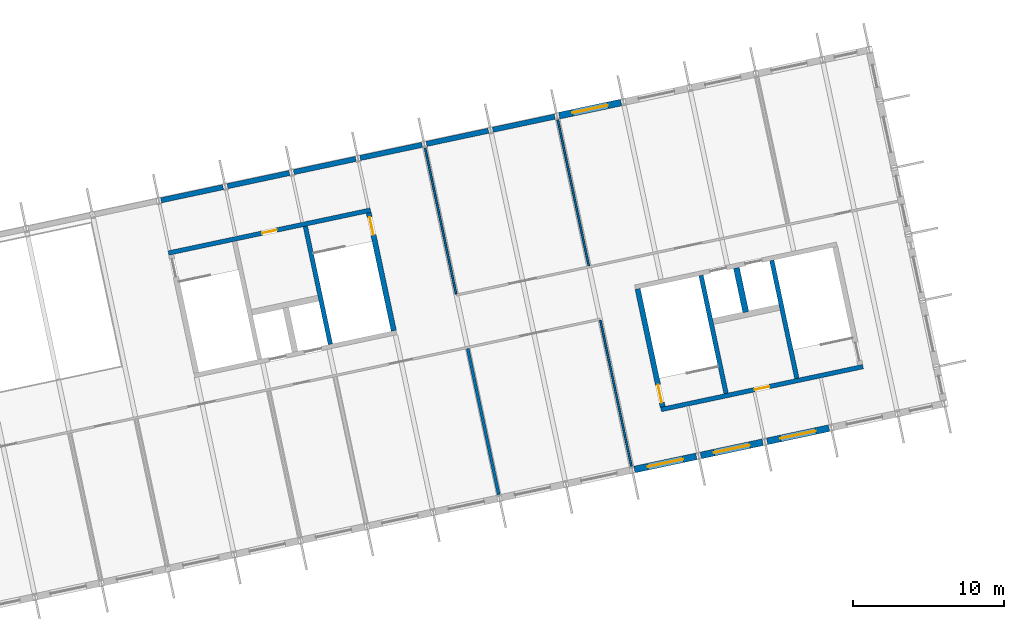
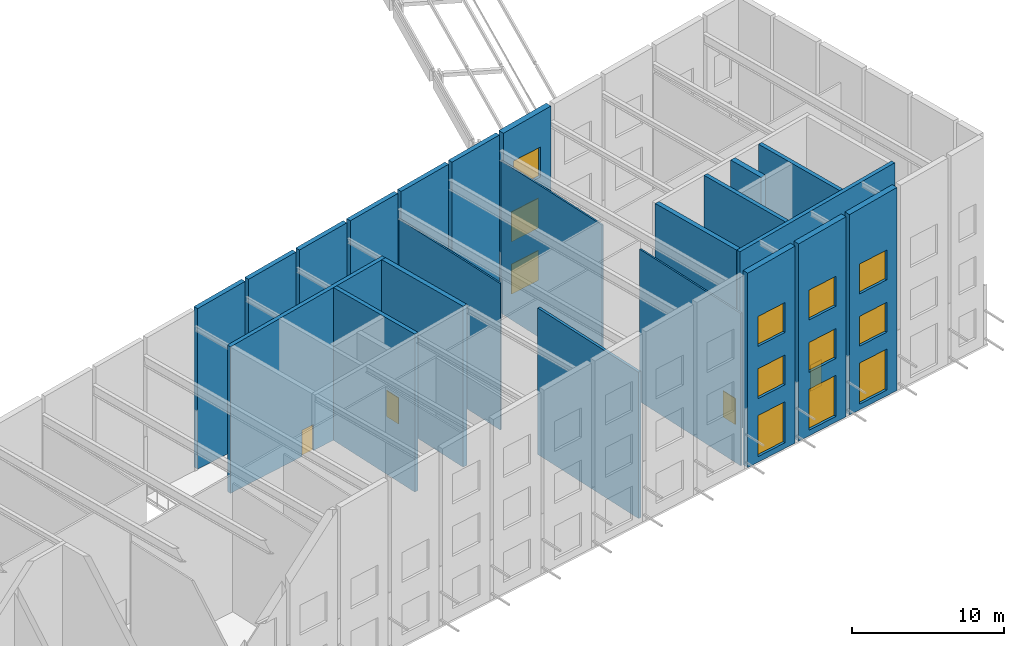
# One storey, part 47 of 69: 22 walls, 12 windows, 4 doors, 16 openings.
"""IFC4 building model written with IfcOpenShell, lengths in metres."""

from ifc_helpers import new_model, si_unit, direction, frame, frame_2d, origin, place, context, subcontext, project, spatial, polyline, rectangle, outline, extrude, material, layer, layer_set, type_object, element, fill, save


model = new_model("IFC4")

# Units and contexts
model_context = context("Model", 3, precision=1e-05, world=origin(), true_north=direction((0.0, 1.0)))
body_context = subcontext(model_context, "Body", "Model", "MODEL_VIEW")
ifc_project = project(units=[si_unit("LENGTHUNIT", "METRE"), si_unit("AREAUNIT", "SQUARE_METRE"), si_unit("VOLUMEUNIT", "CUBIC_METRE"), si_unit("PLANEANGLEUNIT", "RADIAN"), si_unit("MASSUNIT", "GRAM", prefix="KILO")], contexts=[model_context])

# Site, building, storey
site_placement = place(None, origin())
site = spatial("IfcSite", under=ifc_project, at=site_placement, CompositionType="ELEMENT")
building_placement = place(site_placement, origin())
building = spatial("IfcBuilding", under=site, at=building_placement, Name="Okhra Congress Centre", CompositionType="ELEMENT")
storey_placement = place(building_placement, frame((0.0, 0.0, 16.800048828125)))
storey = spatial("IfcBuildingStorey", under=building, at=storey_placement, Name="L03", CompositionType="ELEMENT", Elevation=16.800048828125)

# Wall
ifc_material_1 = material(Name="Double gypsum board on steel studs with mineral wool", Category="steel")
ifc_layer_1 = layer(ifc_material_1, 0.199951171875)
ifc_layer_set_1 = layer_set([ifc_layer_1], Name="Acoustic partition 200")
wall_type_1 = type_object("IfcWallType", Name="Acoustic partition 200", PredefinedType="PARTITIONING", material=ifc_layer_set_1)
wall_1_placement = place(storey_placement, frame((188.612548828125, 54.161865234375, 0.0), z_axis=(0.0, 0.0, 1.0), x_axis=(-0.207932893358, 0.978143093754, 0.0)))
element("IfcWall", 1, at=wall_1_placement, inside=storey, type_object=wall_type_1, Name="Partition S L03", PredefinedType="PARTITIONING", context=body_context, shape_type="SweptSolid", body=[
    extrude(outline(polyline([(0.0, 0.0), (9.925048828125, 0.0), (9.925048828125, 11.75146484375), (0.0, 11.75146484375), (0.0, 0.0)])), frame((0.0, 0.10009765625, 0.0), z_axis=(0.0, -1.0, 0.0), x_axis=(1.0, 0.0, 0.0)), (0.0, 0.0, 1.0), 0.199951171875),
])

# Wall, openings, windows
ifc_material_2 = material(Name="Insulated metal panel on steel stud (mineral wool, vapour barrier)", Category="steel")
ifc_layer_2 = layer(ifc_material_2, 0.449951171875)
ifc_layer_set_2 = layer_set([ifc_layer_2], Name="Insulated wall 450")
wall_type_2 = type_object("IfcWallType", Name="Insulated wall 450", PredefinedType="SOLIDWALL", material=ifc_layer_set_2)
wall_2_placement = place(storey_placement, frame((197.609375, 55.843994140625, 0.0), z_axis=(0.0, 0.0, 1.0), x_axis=(0.978143927149, 0.207928972925, 0.0)))
wall_2 = element("IfcWall", 2, at=wall_2_placement, inside=storey, type_object=wall_type_2, Name="External wall S32 L03", PredefinedType="SOLIDWALL", context=body_context, shape_type="SweptSolid", body=[
    extrude(outline(polyline([(0.0, 0.0), (4.199951171875, 0.0), (4.199951171875, 15.816650390625), (0.0, 15.591796875), (0.0, 0.0)])), frame((0.0, 0.22509765625, 0.0), z_axis=(0.0, -1.0, 0.0), x_axis=(1.0, 0.0, 0.0)), (0.0, 0.0, 1.0), 0.449951171875),
])
opening_1_placement = place(wall_2_placement, frame((0.89990234375, 0.0, 0.449951171875)))
opening_1 = element("IfcOpeningElement", 3, at=opening_1_placement, cuts=wall_2, Name="Opening WN21", PredefinedType="OPENING", context=body_context, shape_type="SweptSolid", body=[
    extrude(rectangle(XDim=2.39990234375, YDim=3.300048828125, at=frame_2d((1.199951171875, 1.64990234375))), frame((0.0, 0.23486328125, 0.0), z_axis=(0.0, -1.0, 0.0), x_axis=(1.0, 0.0, 0.0)), (0.0, 0.0, 1.0), 0.469970703125),
])
opening_2_placement = place(wall_2_placement, frame((0.89990234375, 0.0, 5.10009765625)))
opening_2 = element("IfcOpeningElement", 4, at=opening_2_placement, cuts=wall_2, Name="Opening WN22", PredefinedType="OPENING", context=body_context, shape_type="SweptSolid", body=[
    extrude(rectangle(XDim=2.39990234375, YDim=2.39990234375, at=frame_2d((1.199951171875, 1.199951171875))), frame((0.0, 0.23486328125, 0.0), z_axis=(0.0, -1.0, 0.0), x_axis=(1.0, 0.0, 0.0)), (0.0, 0.0, 1.0), 0.469970703125),
])
opening_3_placement = place(wall_2_placement, frame((0.89990234375, 0.0, 9.300048828125)))
opening_3 = element("IfcOpeningElement", 5, at=opening_3_placement, cuts=wall_2, Name="Opening WN22", PredefinedType="OPENING", context=body_context, shape_type="SweptSolid", body=[
    extrude(rectangle(XDim=2.39990234375, YDim=2.39990234375, at=frame_2d((1.199951171875, 1.199951171875))), frame((0.0, 0.23486328125, 0.0), z_axis=(0.0, -1.0, 0.0), x_axis=(1.0, 0.0, 0.0)), (0.0, 0.0, 1.0), 0.469970703125),
])
ifc_material_3 = material(Name="Thermally broken aluminium frame, triple glazing", Category="aluminium")
window_type_1 = type_object("IfcWindowType", Name="Fixed window 2400x2400", PartitioningType="SINGLE_PANEL", PredefinedType="WINDOW", material=ifc_material_3)
window_1_placement = place(opening_2_placement, origin())
window_1 = element("IfcWindow", 6, at=window_1_placement, inside=storey, type_object=window_type_1, Name="BX.WIN.L03.62", OverallHeight=2.39990234375, OverallWidth=2.39990234375, PartitioningType="SINGLE_PANEL", PredefinedType="WINDOW", context=body_context, shape_type="SweptSolid", body=[
    extrude(rectangle(XDim=2.39990234375, YDim=2.39990234375, at=frame_2d((1.199951171875, 1.199951171875))), frame((0.0, 0.030029296875, 0.0), z_axis=(0.0, -1.0, 0.0), x_axis=(1.0, 0.0, 0.0)), (0.0, 0.0, 1.0), 0.06005859375),
])
fill(opening_2, window_1)
window_2_placement = place(opening_3_placement, origin())
window_2 = element("IfcWindow", 7, at=window_2_placement, inside=storey, type_object=window_type_1, Name="BX.WIN.L03.63", OverallHeight=2.39990234375, OverallWidth=2.39990234375, PartitioningType="SINGLE_PANEL", PredefinedType="WINDOW", context=body_context, shape_type="SweptSolid", body=[
    extrude(rectangle(XDim=2.39990234375, YDim=2.39990234375, at=frame_2d((1.199951171875, 1.199951171875))), frame((0.0, 0.030029296875, 0.0), z_axis=(0.0, -1.0, 0.0), x_axis=(1.0, 0.0, 0.0)), (0.0, 0.0, 1.0), 0.06005859375),
])
fill(opening_3, window_2)
window_type_2 = type_object("IfcWindowType", Name="Two-light window 2400x3300", PartitioningType="DOUBLE_PANEL_VERTICAL", PredefinedType="WINDOW", material=ifc_material_3)
window_3_placement = place(opening_1_placement, origin())
window_3 = element("IfcWindow", 8, at=window_3_placement, inside=storey, type_object=window_type_2, Name="BX.WIN.L03.61", OverallHeight=3.300048828125, OverallWidth=2.39990234375, PartitioningType="DOUBLE_PANEL_VERTICAL", PredefinedType="WINDOW", context=body_context, shape_type="SweptSolid", body=[
    extrude(rectangle(XDim=2.39990234375, YDim=3.300048828125, at=frame_2d((1.199951171875, 1.64990234375))), frame((0.0, 0.030029296875, 0.0), z_axis=(0.0, -1.0, 0.0), x_axis=(1.0, 0.0, 0.0)), (0.0, 0.0, 1.0), 0.06005859375),
])
fill(opening_1, window_3)

wall_3_placement = place(storey_placement, frame((202.010986328125, 56.77978515625, 0.0), z_axis=(0.0, 0.0, 1.0), x_axis=(0.978155748334, 0.207873355681, 0.0)))
wall_3 = element("IfcWall", 9, at=wall_3_placement, inside=storey, type_object=wall_type_2, Name="External wall S33 L03", PredefinedType="SOLIDWALL", context=body_context, shape_type="SweptSolid", body=[
    extrude(outline(polyline([(0.0, 0.0), (4.199951171875, 0.0), (4.199951171875, 16.057373046875), (0.0, 15.832763671875), (0.0, 0.0)])), frame((0.0, 0.22509765625, 0.0), z_axis=(0.0, -1.0, 0.0), x_axis=(1.0, 0.0, 0.0)), (0.0, 0.0, 1.0), 0.449951171875),
])
opening_4_placement = place(wall_3_placement, frame((0.89990234375, 0.0, 0.449951171875)))
opening_4 = element("IfcOpeningElement", 10, at=opening_4_placement, cuts=wall_3, Name="Opening WN21", PredefinedType="OPENING", context=body_context, shape_type="SweptSolid", body=[
    extrude(rectangle(XDim=2.39990234375, YDim=3.300048828125, at=frame_2d((1.199951171875, 1.64990234375))), frame((0.0, 0.23486328125, 0.0), z_axis=(0.0, -1.0, 0.0), x_axis=(1.0, 0.0, 0.0)), (0.0, 0.0, 1.0), 0.469970703125),
])
opening_5_placement = place(wall_3_placement, frame((0.89990234375, 0.0, 5.10009765625)))
opening_5 = element("IfcOpeningElement", 11, at=opening_5_placement, cuts=wall_3, Name="Opening WN22", PredefinedType="OPENING", context=body_context, shape_type="SweptSolid", body=[
    extrude(rectangle(XDim=2.39990234375, YDim=2.39990234375, at=frame_2d((1.199951171875, 1.199951171875))), frame((0.0, 0.23486328125, 0.0), z_axis=(0.0, -1.0, 0.0), x_axis=(1.0, 0.0, 0.0)), (0.0, 0.0, 1.0), 0.469970703125),
])
opening_6_placement = place(wall_3_placement, frame((0.89990234375, 0.0, 9.300048828125)))
opening_6 = element("IfcOpeningElement", 12, at=opening_6_placement, cuts=wall_3, Name="Opening WN22", PredefinedType="OPENING", context=body_context, shape_type="SweptSolid", body=[
    extrude(rectangle(XDim=2.39990234375, YDim=2.39990234375, at=frame_2d((1.199951171875, 1.199951171875))), frame((0.0, 0.23486328125, 0.0), z_axis=(0.0, -1.0, 0.0), x_axis=(1.0, 0.0, 0.0)), (0.0, 0.0, 1.0), 0.469970703125),
])
window_4_placement = place(opening_5_placement, origin())
window_4 = element("IfcWindow", 13, at=window_4_placement, inside=storey, type_object=window_type_1, Name="BX.WIN.L03.65", OverallHeight=2.39990234375, OverallWidth=2.39990234375, PartitioningType="SINGLE_PANEL", PredefinedType="WINDOW", context=body_context, shape_type="SweptSolid", body=[
    extrude(rectangle(XDim=2.39990234375, YDim=2.39990234375, at=frame_2d((1.199951171875, 1.199951171875))), frame((0.0, 0.030029296875, 0.0), z_axis=(0.0, -1.0, 0.0), x_axis=(1.0, 0.0, 0.0)), (0.0, 0.0, 1.0), 0.06005859375),
])
fill(opening_5, window_4)
window_5_placement = place(opening_6_placement, origin())
window_5 = element("IfcWindow", 14, at=window_5_placement, inside=storey, type_object=window_type_1, Name="BX.WIN.L03.66", OverallHeight=2.39990234375, OverallWidth=2.39990234375, PartitioningType="SINGLE_PANEL", PredefinedType="WINDOW", context=body_context, shape_type="SweptSolid", body=[
    extrude(rectangle(XDim=2.39990234375, YDim=2.39990234375, at=frame_2d((1.199951171875, 1.199951171875))), frame((0.0, 0.030029296875, 0.0), z_axis=(0.0, -1.0, 0.0), x_axis=(1.0, 0.0, 0.0)), (0.0, 0.0, 1.0), 0.06005859375),
])
fill(opening_6, window_5)
window_6_placement = place(opening_4_placement, origin())
window_6 = element("IfcWindow", 15, at=window_6_placement, inside=storey, type_object=window_type_2, Name="BX.WIN.L03.64", OverallHeight=3.300048828125, OverallWidth=2.39990234375, PartitioningType="DOUBLE_PANEL_VERTICAL", PredefinedType="WINDOW", context=body_context, shape_type="SweptSolid", body=[
    extrude(rectangle(XDim=2.39990234375, YDim=3.300048828125, at=frame_2d((1.199951171875, 1.64990234375))), frame((0.0, 0.030029296875, 0.0), z_axis=(0.0, -1.0, 0.0), x_axis=(1.0, 0.0, 0.0)), (0.0, 0.0, 1.0), 0.06005859375),
])
fill(opening_4, window_6)

wall_4_placement = place(storey_placement, frame((206.41259765625, 57.71533203125, 0.0), z_axis=(0.0, 0.0, 1.0), x_axis=(0.978143927149, 0.207928972925, 0.0)))
wall_4 = element("IfcWall", 16, at=wall_4_placement, inside=storey, type_object=wall_type_2, Name="External wall S34 L03", PredefinedType="SOLIDWALL", context=body_context, shape_type="SweptSolid", body=[
    extrude(outline(polyline([(0.0, 0.0), (4.199951171875, 0.0), (4.199951171875, 16.298095703125), (0.0, 16.073486328125), (0.0, 0.0)])), frame((0.0, 0.22509765625, 0.0), z_axis=(0.0, -1.0, 0.0), x_axis=(1.0, 0.0, 0.0)), (0.0, 0.0, 1.0), 0.449951171875),
])
opening_7_placement = place(wall_4_placement, frame((0.89990234375, 0.0, 0.449951171875)))
opening_7 = element("IfcOpeningElement", 17, at=opening_7_placement, cuts=wall_4, Name="Opening WN21", PredefinedType="OPENING", context=body_context, shape_type="SweptSolid", body=[
    extrude(rectangle(XDim=2.39990234375, YDim=3.300048828125, at=frame_2d((1.199951171875, 1.64990234375))), frame((0.0, 0.23486328125, 0.0), z_axis=(0.0, -1.0, 0.0), x_axis=(1.0, 0.0, 0.0)), (0.0, 0.0, 1.0), 0.469970703125),
])
opening_8_placement = place(wall_4_placement, frame((0.89990234375, 0.0, 5.10009765625)))
opening_8 = element("IfcOpeningElement", 18, at=opening_8_placement, cuts=wall_4, Name="Opening WN22", PredefinedType="OPENING", context=body_context, shape_type="SweptSolid", body=[
    extrude(rectangle(XDim=2.39990234375, YDim=2.39990234375, at=frame_2d((1.199951171875, 1.199951171875))), frame((0.0, 0.23486328125, 0.0), z_axis=(0.0, -1.0, 0.0), x_axis=(1.0, 0.0, 0.0)), (0.0, 0.0, 1.0), 0.469970703125),
])
opening_9_placement = place(wall_4_placement, frame((0.89990234375, 0.0, 9.300048828125)))
opening_9 = element("IfcOpeningElement", 19, at=opening_9_placement, cuts=wall_4, Name="Opening WN22", PredefinedType="OPENING", context=body_context, shape_type="SweptSolid", body=[
    extrude(rectangle(XDim=2.39990234375, YDim=2.39990234375, at=frame_2d((1.199951171875, 1.199951171875))), frame((0.0, 0.23486328125, 0.0), z_axis=(0.0, -1.0, 0.0), x_axis=(1.0, 0.0, 0.0)), (0.0, 0.0, 1.0), 0.469970703125),
])
window_7_placement = place(opening_8_placement, origin())
window_7 = element("IfcWindow", 20, at=window_7_placement, inside=storey, type_object=window_type_1, Name="BX.WIN.L03.68", OverallHeight=2.39990234375, OverallWidth=2.39990234375, PartitioningType="SINGLE_PANEL", PredefinedType="WINDOW", context=body_context, shape_type="SweptSolid", body=[
    extrude(rectangle(XDim=2.39990234375, YDim=2.39990234375, at=frame_2d((1.199951171875, 1.199951171875))), frame((0.0, 0.030029296875, 0.0), z_axis=(0.0, -1.0, 0.0), x_axis=(1.0, 0.0, 0.0)), (0.0, 0.0, 1.0), 0.06005859375),
])
fill(opening_8, window_7)
window_8_placement = place(opening_9_placement, origin())
window_8 = element("IfcWindow", 21, at=window_8_placement, inside=storey, type_object=window_type_1, Name="BX.WIN.L03.69", OverallHeight=2.39990234375, OverallWidth=2.39990234375, PartitioningType="SINGLE_PANEL", PredefinedType="WINDOW", context=body_context, shape_type="SweptSolid", body=[
    extrude(rectangle(XDim=2.39990234375, YDim=2.39990234375, at=frame_2d((1.199951171875, 1.199951171875))), frame((0.0, 0.030029296875, 0.0), z_axis=(0.0, -1.0, 0.0), x_axis=(1.0, 0.0, 0.0)), (0.0, 0.0, 1.0), 0.06005859375),
])
fill(opening_9, window_8)
window_9_placement = place(opening_7_placement, origin())
window_9 = element("IfcWindow", 22, at=window_9_placement, inside=storey, type_object=window_type_2, Name="BX.WIN.L03.67", OverallHeight=3.300048828125, OverallWidth=2.39990234375, PartitioningType="DOUBLE_PANEL_VERTICAL", PredefinedType="WINDOW", context=body_context, shape_type="SweptSolid", body=[
    extrude(rectangle(XDim=2.39990234375, YDim=3.300048828125, at=frame_2d((1.199951171875, 1.64990234375))), frame((0.0, 0.030029296875, 0.0), z_axis=(0.0, -1.0, 0.0), x_axis=(1.0, 0.0, 0.0)), (0.0, 0.0, 1.0), 0.06005859375),
])
fill(opening_7, window_9)

wall_5_placement = place(storey_placement, frame((192.619384765625, 79.319580078125, 0.0), z_axis=(0.0, 0.0, 1.0), x_axis=(0.978143927149, 0.207928972925, 0.0)))
wall_5 = element("IfcWall", 23, at=wall_5_placement, inside=storey, type_object=wall_type_2, Name="External wall N32 L03", PredefinedType="SOLIDWALL", context=body_context, shape_type="SweptSolid", body=[
    extrude(outline(polyline([(0.0, 0.0), (4.199951171875, 0.0), (4.199951171875, 14.558837890625), (0.0, 14.333984375), (0.0, 0.0)])), frame((0.0, 0.22509765625, 0.0), z_axis=(0.0, -1.0, 0.0), x_axis=(1.0, 0.0, 0.0)), (0.0, 0.0, 1.0), 0.449951171875),
])
opening_10_placement = place(wall_5_placement, frame((0.89990234375, 0.0, 0.89990234375)))
opening_10 = element("IfcOpeningElement", 24, at=opening_10_placement, cuts=wall_5, Name="Opening WN22", PredefinedType="OPENING", context=body_context, shape_type="SweptSolid", body=[
    extrude(rectangle(XDim=2.39990234375, YDim=2.39990234375, at=frame_2d((1.199951171875, 1.199951171875))), frame((0.0, 0.23486328125, 0.0), z_axis=(0.0, -1.0, 0.0), x_axis=(1.0, 0.0, 0.0)), (0.0, 0.0, 1.0), 0.469970703125),
])
opening_11_placement = place(wall_5_placement, frame((0.89990234375, 0.0, 5.10009765625)))
opening_11 = element("IfcOpeningElement", 25, at=opening_11_placement, cuts=wall_5, Name="Opening WN22", PredefinedType="OPENING", context=body_context, shape_type="SweptSolid", body=[
    extrude(rectangle(XDim=2.39990234375, YDim=2.39990234375, at=frame_2d((1.199951171875, 1.199951171875))), frame((0.0, 0.23486328125, 0.0), z_axis=(0.0, -1.0, 0.0), x_axis=(1.0, 0.0, 0.0)), (0.0, 0.0, 1.0), 0.469970703125),
])
opening_12_placement = place(wall_5_placement, frame((0.89990234375, 0.0, 9.300048828125)))
opening_12 = element("IfcOpeningElement", 26, at=opening_12_placement, cuts=wall_5, Name="Opening WN22", PredefinedType="OPENING", context=body_context, shape_type="SweptSolid", body=[
    extrude(rectangle(XDim=2.39990234375, YDim=2.39990234375, at=frame_2d((1.199951171875, 1.199951171875))), frame((0.0, 0.23486328125, 0.0), z_axis=(0.0, -1.0, 0.0), x_axis=(1.0, 0.0, 0.0)), (0.0, 0.0, 1.0), 0.469970703125),
])
window_10_placement = place(opening_10_placement, origin())
window_10 = element("IfcWindow", 27, at=window_10_placement, inside=storey, type_object=window_type_1, Name="BX.WIN.L03.107", OverallHeight=2.39990234375, OverallWidth=2.39990234375, PartitioningType="SINGLE_PANEL", PredefinedType="WINDOW", context=body_context, shape_type="SweptSolid", body=[
    extrude(rectangle(XDim=2.39990234375, YDim=2.39990234375, at=frame_2d((1.199951171875, 1.199951171875))), frame((0.0, 0.030029296875, 0.0), z_axis=(0.0, -1.0, 0.0), x_axis=(1.0, 0.0, 0.0)), (0.0, 0.0, 1.0), 0.06005859375),
])
fill(opening_10, window_10)
window_11_placement = place(opening_11_placement, origin())
window_11 = element("IfcWindow", 28, at=window_11_placement, inside=storey, type_object=window_type_1, Name="BX.WIN.L03.108", OverallHeight=2.39990234375, OverallWidth=2.39990234375, PartitioningType="SINGLE_PANEL", PredefinedType="WINDOW", context=body_context, shape_type="SweptSolid", body=[
    extrude(rectangle(XDim=2.39990234375, YDim=2.39990234375, at=frame_2d((1.199951171875, 1.199951171875))), frame((0.0, 0.030029296875, 0.0), z_axis=(0.0, -1.0, 0.0), x_axis=(1.0, 0.0, 0.0)), (0.0, 0.0, 1.0), 0.06005859375),
])
fill(opening_11, window_11)
window_12_placement = place(opening_12_placement, origin())
window_12 = element("IfcWindow", 29, at=window_12_placement, inside=storey, type_object=window_type_1, Name="BX.WIN.L03.109", OverallHeight=2.39990234375, OverallWidth=2.39990234375, PartitioningType="SINGLE_PANEL", PredefinedType="WINDOW", context=body_context, shape_type="SweptSolid", body=[
    extrude(rectangle(XDim=2.39990234375, YDim=2.39990234375, at=frame_2d((1.199951171875, 1.199951171875))), frame((0.0, 0.030029296875, 0.0), z_axis=(0.0, -1.0, 0.0), x_axis=(1.0, 0.0, 0.0)), (0.0, 0.0, 1.0), 0.06005859375),
])
fill(opening_12, window_12)

# Walls
ifc_material_4 = material(Name="Gypsum board on steel studs", Category="steel")
ifc_layer_3 = layer(ifc_material_4, 0.125)
ifc_layer_set_3 = layer_set([ifc_layer_3], Name="Partition 125")
wall_type_3 = type_object("IfcWallType", Name="Partition 125", PredefinedType="PARTITIONING", material=ifc_layer_set_3)
wall_6_placement = place(storey_placement, frame((197.415771484375, 56.032958984375, 0.0), z_axis=(0.0, 0.0, 1.0), x_axis=(-0.207904355568, 0.978149159861, 0.0)))
element("IfcWall", 30, at=wall_6_placement, inside=storey, type_object=wall_type_3, Name="Partition S L03", PredefinedType="PARTITIONING", context=body_context, shape_type="SweptSolid", body=[
    extrude(outline(polyline([(0.0, 0.0), (9.925048828125, 0.0), (9.925048828125, 12.233154296875), (0.0, 12.233154296875), (0.0, 0.0)])), frame((0.0, 0.0625, 0.0), z_axis=(0.0, -1.0, 0.0), x_axis=(1.0, 0.0, 0.0)), (0.0, 0.0, 1.0), 0.125),
])
wall_7_placement = place(storey_placement, frame((183.716064453125, 77.197265625, 0.0), z_axis=(0.0, 0.0, 1.0), x_axis=(0.207927890391, -0.978144157268, 0.0)))
element("IfcWall", 31, at=wall_7_placement, inside=storey, type_object=wall_type_3, Name="Partition N L03", PredefinedType="PARTITIONING", context=body_context, shape_type="SweptSolid", body=[
    extrude(outline(polyline([(0.0, 0.0), (9.92529296875, 0.0), (9.925048828125, 11.75146484375), (0.0, 11.75146484375), (0.0, 0.0)])), frame((0.0, 0.0625, 0.0), z_axis=(0.0, -1.0, 0.0), x_axis=(1.0, 0.0, 0.0)), (0.0, 0.0, 1.0), 0.125),
])
wall_8_placement = place(storey_placement, frame((192.51953125, 79.068359375, 0.0), z_axis=(0.0, 0.0, 1.0), x_axis=(0.20790935802, -0.978148096582, 0.0)))
element("IfcWall", 32, at=wall_8_placement, inside=storey, type_object=wall_type_3, Name="Partition N L03", PredefinedType="PARTITIONING", context=body_context, shape_type="SweptSolid", body=[
    extrude(outline(polyline([(0.0, 0.0), (9.9248046875, 0.0), (9.925048828125, 12.233154296875), (0.0, 12.233154296875), (0.0, 0.0)])), frame((0.0, 0.0625, 0.0), z_axis=(0.0, -1.0, 0.0), x_axis=(1.0, 0.0, 0.0)), (0.0, 0.0, 1.0), 0.125),
])

# Wall, opening, door
ifc_material_5 = material(Name="Concrete C35/45", Category="concrete")
ifc_layer_4 = layer(ifc_material_5, 0.300048828125)
ifc_layer_set_4 = layer_set([ifc_layer_4], Name="RC core wall 300 REI 120 C35/45")
wall_type_4 = type_object("IfcWallType", Name="RC core wall 300 REI 120 C35/45", PredefinedType="SHEAR", material=ifc_layer_set_4)
wall_9_placement = place(storey_placement, frame((166.69775390625, 70.2060546875, 0.0), z_axis=(0.0, 0.0, 1.0), x_axis=(0.978147662755, 0.20791139903, 0.0)))
wall_9 = element("IfcWall", 33, at=wall_9_placement, inside=storey, type_object=wall_type_4, Name="BX.WALL.L03.K4S", PredefinedType="SHEAR", context=body_context, shape_type="SweptSolid", body=[
    extrude(outline(polyline([(0.0, 0.0), (13.699951171875, 0.0), (13.699951171875, 12.493896484375), (0.0, 11.7607421875), (0.0, 0.0)])), frame((0.0, 0.14990234375, 0.0), z_axis=(0.0, -1.0, 0.0), x_axis=(1.0, 0.0, 0.0)), (0.0, 0.0, 1.0), 0.300048828125),
])
opening_13_placement = place(wall_9_placement, frame((6.35009765625, 0.0, 0.0)))
opening_13 = element("IfcOpeningElement", 34, at=opening_13_placement, cuts=wall_9, Name="Opening L03-038", PredefinedType="OPENING", context=body_context, shape_type="SweptSolid", body=[
    extrude(rectangle(XDim=1.0, YDim=2.10009765625, at=frame_2d((0.5, 1.050048828125))), frame((0.0, 0.159912109375, 0.0), z_axis=(0.0, -1.0, 0.0), x_axis=(1.0, 0.0, 0.0)), (0.0, 0.0, 1.0), 0.320068359375),
])
ifc_material_6 = material(Name="Steel fire door leaf in steel frame, intumescent seals", Category="steel")
door_type_1 = type_object("IfcDoorType", Name="Steel fire door 1000x2100 EI 30", OperationType="NOTDEFINED", PredefinedType="DOOR", material=ifc_material_6)
door_1_placement = place(opening_13_placement, frame((1.0, 0.0, 0.0), z_axis=(0.0, 0.0, 1.0), x_axis=(-1.0, 0.0, 0.0)))
door_1 = element("IfcDoor", 35, at=door_1_placement, inside=storey, type_object=door_type_1, Name="Door L03-038", OperationType="SINGLE_SWING_LEFT", OverallHeight=2.10009765625, OverallWidth=1.0, PredefinedType="DOOR", context=body_context, shape_type="SweptSolid", body=[
    extrude(rectangle(XDim=1.0, YDim=2.10009765625, at=frame_2d((0.5, 1.050048828125))), frame((0.0, 0.02490234375, 0.0), z_axis=(0.0, -1.0, 0.0), x_axis=(1.0, 0.0, 0.0)), (0.0, 0.0, 1.0), 0.050048828125),
])
fill(opening_13, door_1)

# Wall
wall_10_placement = place(storey_placement, frame((175.77685546875, 71.982666015625, 0.0), z_axis=(0.0, 0.0, 1.0), x_axis=(0.207915693476, -0.978146749934, 0.0)))
element("IfcWall", 36, at=wall_10_placement, inside=storey, type_object=wall_type_4, Name="BX.WALL.L03.K4P2", PredefinedType="SHEAR", context=body_context, shape_type="SweptSolid", body=[
    extrude(outline(polyline([(0.0, 0.0), (8.0, 0.0), (8.0, 12.682861328125), (0.0, 12.263671875), (0.0, 0.0)])), frame((0.0, 0.14990234375, 0.0), z_axis=(0.0, -1.0, 0.0), x_axis=(1.0, 0.0, 0.0)), (0.0, 0.0, 1.0), 0.300048828125),
])

# Wall, opening, door
wall_11_placement = place(storey_placement, frame((199.37060546875, 59.822265625, 0.0), z_axis=(0.0, 0.0, 1.0), x_axis=(0.978147662755, 0.20791139903, 0.0)))
wall_11 = element("IfcWall", 37, at=wall_11_placement, inside=storey, type_object=wall_type_4, Name="BX.WALL.L03.K5S", PredefinedType="SHEAR", context=body_context, shape_type="SweptSolid", body=[
    extrude(outline(polyline([(0.0, 0.0), (13.699951171875, 0.0), (13.699951171875, 14.9765625), (0.0, 14.24365234375), (0.0, 0.0)])), frame((0.0, 0.14990234375, 0.0), z_axis=(0.0, -1.0, 0.0), x_axis=(1.0, 0.0, 0.0)), (0.0, 0.0, 1.0), 0.300048828125),
])
opening_14_placement = place(wall_11_placement, frame((6.35009765625, 0.0, 0.0)))
opening_14 = element("IfcOpeningElement", 38, at=opening_14_placement, cuts=wall_11, Name="Opening L03-043", PredefinedType="OPENING", context=body_context, shape_type="SweptSolid", body=[
    extrude(rectangle(XDim=1.0, YDim=2.10009765625, at=frame_2d((0.5, 1.050048828125))), frame((0.0, 0.159912109375, 0.0), z_axis=(0.0, -1.0, 0.0), x_axis=(1.0, 0.0, 0.0)), (0.0, 0.0, 1.0), 0.320068359375),
])
door_2_placement = place(opening_14_placement, origin())
door_2 = element("IfcDoor", 39, at=door_2_placement, inside=storey, type_object=door_type_1, Name="Door L03-043", OperationType="SINGLE_SWING_RIGHT", OverallHeight=2.10009765625, OverallWidth=1.0, PredefinedType="DOOR", context=body_context, shape_type="SweptSolid", body=[
    extrude(rectangle(XDim=1.0, YDim=2.10009765625, at=frame_2d((0.5, 1.050048828125))), frame((0.0, 0.02490234375, 0.0), z_axis=(0.0, -1.0, 0.0), x_axis=(1.0, 0.0, 0.0)), (0.0, 0.0, 1.0), 0.050048828125),
])
fill(opening_14, door_2)

# Walls
wall_12_placement = place(storey_placement, frame((203.6923828125, 60.894287109375, 0.0), z_axis=(0.0, 0.0, 1.0), x_axis=(-0.207915693476, 0.978146749934, 0.0)))
element("IfcWall", 40, at=wall_12_placement, inside=storey, type_object=wall_type_4, Name="BX.WALL.L03.K5P1", PredefinedType="SHEAR", context=body_context, shape_type="SweptSolid", body=[
    extrude(outline(polyline([(0.0, 0.0), (8.0, 0.0), (8.0, 14.054443359375), (0.0, 14.473876953125), (0.0, 0.0)])), frame((0.0, 0.14990234375, 0.0), z_axis=(0.0, -1.0, 0.0), x_axis=(1.0, 0.0, 0.0)), (0.0, 0.0, 1.0), 0.300048828125),
])
wall_13_placement = place(storey_placement, frame((208.387451171875, 61.89208984375, 0.0), z_axis=(0.0, 0.0, 1.0), x_axis=(-0.207915693476, 0.978146749934, 0.0)))
element("IfcWall", 41, at=wall_13_placement, inside=storey, type_object=wall_type_4, Name="BX.WALL.L03.K5P2", PredefinedType="SHEAR", context=body_context, shape_type="SweptSolid", body=[
    extrude(outline(polyline([(0.0, 0.0), (8.0, 0.0), (8.0, 14.311279296875), (0.0, 14.730712890625), (0.0, 0.0)])), frame((0.0, 0.14990234375, 0.0), z_axis=(0.0, -1.0, 0.0), x_axis=(1.0, 0.0, 0.0)), (0.0, 0.0, 1.0), 0.300048828125),
])
ifc_layer_5 = layer(ifc_material_5, 0.39990234375)
ifc_layer_set_5 = layer_set([ifc_layer_5], Name="RC core wall 400 REI 120 C35/45")
wall_type_5 = type_object("IfcWallType", Name="RC core wall 400 REI 120 C35/45", PredefinedType="SHEAR", material=ifc_layer_set_5)
wall_14_placement = place(storey_placement, frame((205.000244140625, 66.283935546875, 0.0), z_axis=(0.0, 0.0, 1.0), x_axis=(-0.207933702079, 0.978142921837, 0.0)))
element("IfcWall", 42, at=wall_14_placement, inside=storey, type_object=wall_type_5, Name="BX.WALL.L03.K5D", PredefinedType="SHEAR", context=body_context, shape_type="SweptSolid", body=[
    extrude(outline(polyline([(0.0, 0.0), (3.0, 0.0), (3.0, 14.182861328125), (0.0, 14.340087890625), (0.0, 0.0)])), frame((0.0, 0.199951171875, 0.0), z_axis=(0.0, -1.0, 0.0), x_axis=(1.0, 0.0, 0.0)), (0.0, 0.0, 1.0), 0.39990234375),
])
ifc_material_7 = material(Name="Concrete C30/37", Category="concrete")
ifc_layer_6 = layer(ifc_material_7, 0.35009765625)
ifc_layer_set_6 = layer_set([ifc_layer_6], Name="RC fire wall 350 REI 150 C30/37")
wall_type_6 = type_object("IfcWallType", Name="RC fire wall 350 REI 150 C30/37", PredefinedType="SOLIDWALL", material=ifc_layer_set_6)
wall_15_placement = place(storey_placement, frame((166.20947265625, 73.7060546875, 0.0), z_axis=(0.0, 0.0, 1.0), x_axis=(0.978143927149, 0.207928972925, 0.0)))
element("IfcWall", 43, at=wall_15_placement, inside=storey, type_object=wall_type_6, Name="Fire wall N26 L03", PredefinedType="SOLIDWALL", context=body_context, shape_type="SweptSolid", body=[
    extrude(outline(polyline([(0.0, 0.0), (4.199951171875, 0.0), (4.199951171875, 13.1142578125), (0.0, 12.889404296875), (0.0, 0.0)])), frame((0.0, 0.175048828125, 0.0), z_axis=(0.0, -1.0, 0.0), x_axis=(1.0, 0.0, 0.0)), (0.0, 0.0, 1.0), 0.35009765625),
])
wall_16_placement = place(storey_placement, frame((170.611083984375, 74.6416015625, 0.0), z_axis=(0.0, 0.0, 1.0), x_axis=(0.978143927149, 0.207928972925, 0.0)))
element("IfcWall", 44, at=wall_16_placement, inside=storey, type_object=wall_type_6, Name="Fire wall N27 L03", PredefinedType="SOLIDWALL", context=body_context, shape_type="SweptSolid", body=[
    extrude(outline(polyline([(0.0, 0.0), (4.199951171875, 0.0), (4.199951171875, 13.35498046875), (0.0, 13.130126953125), (0.0, 0.0)])), frame((0.0, 0.175048828125, 0.0), z_axis=(0.0, -1.0, 0.0), x_axis=(1.0, 0.0, 0.0)), (0.0, 0.0, 1.0), 0.35009765625),
])
wall_17_placement = place(storey_placement, frame((175.0126953125, 75.5771484375, 0.0), z_axis=(0.0, 0.0, 1.0), x_axis=(0.978146440129, 0.207917150959, 0.0)))
element("IfcWall", 45, at=wall_17_placement, inside=storey, type_object=wall_type_6, Name="Fire wall N28 L03", PredefinedType="SOLIDWALL", context=body_context, shape_type="SweptSolid", body=[
    extrude(outline(polyline([(0.0, 0.0), (4.2001953125, 0.0), (4.199951171875, 13.595703125), (0.0, 13.37109375), (0.0, 0.0)])), frame((0.0, 0.175048828125, 0.0), z_axis=(0.0, -1.0, 0.0), x_axis=(1.0, 0.0, 0.0)), (0.0, 0.0, 1.0), 0.35009765625),
])
wall_18_placement = place(storey_placement, frame((179.41455078125, 76.512939453125, 0.0), z_axis=(0.0, 0.0, 1.0), x_axis=(0.978155748334, 0.207873355681, 0.0)))
element("IfcWall", 46, at=wall_18_placement, inside=storey, type_object=wall_type_6, Name="Fire wall N29 L03", PredefinedType="SOLIDWALL", context=body_context, shape_type="SweptSolid", body=[
    extrude(outline(polyline([(0.0, 0.0), (4.199951171875, 0.0), (4.199951171875, 13.83642578125), (0.0, 13.61181640625), (0.0, 0.0)])), frame((0.0, 0.175048828125, 0.0), z_axis=(0.0, -1.0, 0.0), x_axis=(1.0, 0.0, 0.0)), (0.0, 0.0, 1.0), 0.35009765625),
])
wall_19_placement = place(storey_placement, frame((183.816162109375, 77.448486328125, 0.0), z_axis=(0.0, 0.0, 1.0), x_axis=(0.978143927149, 0.207928972925, 0.0)))
element("IfcWall", 47, at=wall_19_placement, inside=storey, type_object=wall_type_6, Name="Fire wall N30 L03", PredefinedType="SOLIDWALL", context=body_context, shape_type="SweptSolid", body=[
    extrude(outline(polyline([(0.0, 0.0), (4.199951171875, 0.0), (4.199951171875, 14.0771484375), (0.0, 13.8525390625), (0.0, 0.0)])), frame((0.0, 0.175048828125, 0.0), z_axis=(0.0, -1.0, 0.0), x_axis=(1.0, 0.0, 0.0)), (0.0, 0.0, 1.0), 0.35009765625),
])
wall_20_placement = place(storey_placement, frame((188.2177734375, 78.384033203125, 0.0), z_axis=(0.0, 0.0, 1.0), x_axis=(0.978143927149, 0.207928972925, 0.0)))
element("IfcWall", 48, at=wall_20_placement, inside=storey, type_object=wall_type_6, Name="Fire wall N31 L03", PredefinedType="SOLIDWALL", context=body_context, shape_type="SweptSolid", body=[
    extrude(outline(polyline([(0.0, 0.0), (4.199951171875, 0.0), (4.199951171875, 14.318115234375), (0.0, 14.09326171875), (0.0, 0.0)])), frame((0.0, 0.175048828125, 0.0), z_axis=(0.0, -1.0, 0.0), x_axis=(1.0, 0.0, 0.0)), (0.0, 0.0, 1.0), 0.35009765625),
])

# Wall, opening, door
ifc_layer_7 = layer(ifc_material_7, 0.35009765625)
ifc_layer_set_7 = layer_set([ifc_layer_7], Name="RC wall 350 REI 120 C30/37")
wall_type_7 = type_object("IfcWallType", Name="RC wall 350 REI 120 C30/37", PredefinedType="SOLIDWALL", material=ifc_layer_set_7)
wall_21_placement = place(storey_placement, frame((179.98291015625, 72.87646484375, 0.0), z_axis=(0.0, 0.0, 1.0), x_axis=(0.207915693476, -0.978146749934, 0.0)))
wall_21 = element("IfcWall", 49, at=wall_21_placement, inside=storey, type_object=wall_type_7, Name="BX.WALL.L03.K4E", PredefinedType="SOLIDWALL", context=body_context, shape_type="SweptSolid", body=[
    extrude(outline(polyline([(0.0, 0.0), (8.0, 0.0), (8.0, 12.912841796875), (0.0, 12.49365234375), (0.0, 0.0)])), frame((0.0, 0.175048828125, 0.0), z_axis=(0.0, -1.0, 0.0), x_axis=(1.0, 0.0, 0.0)), (0.0, 0.0, 1.0), 0.35009765625),
])
opening_15_placement = place(wall_21_placement, frame((0.300048828125, 0.0, 0.0)))
opening_15 = element("IfcOpeningElement", 50, at=opening_15_placement, cuts=wall_21, Name="Opening L03-037", PredefinedType="OPENING", context=body_context, shape_type="SweptSolid", body=[
    extrude(rectangle(XDim=1.199951171875, YDim=2.10009765625, at=frame_2d((0.60009765625, 1.050048828125))), frame((0.0, 0.18505859375, 0.0), z_axis=(0.0, -1.0, 0.0), x_axis=(1.0, 0.0, 0.0)), (0.0, 0.0, 1.0), 0.3701171875),
])
door_type_2 = type_object("IfcDoorType", Name="Steel fire door 1200x2100 EI 30", OperationType="NOTDEFINED", PredefinedType="DOOR", material=ifc_material_6)
door_3_placement = place(opening_15_placement, origin())
door_3 = element("IfcDoor", 51, at=door_3_placement, inside=storey, type_object=door_type_2, Name="Door L03-037", OperationType="SINGLE_SWING_RIGHT", OverallHeight=2.10009765625, OverallWidth=1.199951171875, PredefinedType="DOOR", context=body_context, shape_type="SweptSolid", body=[
    extrude(rectangle(XDim=1.199951171875, YDim=2.10009765625, at=frame_2d((0.60009765625, 1.050048828125))), frame((0.0, 0.02490234375, 0.0), z_axis=(0.0, -1.0, 0.0), x_axis=(1.0, 0.0, 0.0)), (0.0, 0.0, 1.0), 0.050048828125),
])
fill(opening_15, door_3)

wall_22_placement = place(storey_placement, frame((199.486328125, 60.000244140625, 0.0), z_axis=(0.0, 0.0, 1.0), x_axis=(-0.207915693476, 0.978146749934, 0.0)))
wall_22 = element("IfcWall", 52, at=wall_22_placement, inside=storey, type_object=wall_type_7, Name="BX.WALL.L03.K5W", PredefinedType="SOLIDWALL", context=body_context, shape_type="SweptSolid", body=[
    extrude(outline(polyline([(0.0, 0.0), (8.0, 0.0), (8.0, 13.824462890625), (0.0, 14.24365234375), (0.0, 0.0)])), frame((0.0, 0.175048828125, 0.0), z_axis=(0.0, -1.0, 0.0), x_axis=(1.0, 0.0, 0.0)), (0.0, 0.0, 1.0), 0.35009765625),
])
opening_16_placement = place(wall_22_placement, frame((0.300048828125, 0.0, 0.0)))
opening_16 = element("IfcOpeningElement", 53, at=opening_16_placement, cuts=wall_22, Name="Opening L03-041", PredefinedType="OPENING", context=body_context, shape_type="SweptSolid", body=[
    extrude(rectangle(XDim=1.199951171875, YDim=2.10009765625, at=frame_2d((0.60009765625, 1.050048828125))), frame((0.0, 0.18505859375, 0.0), z_axis=(0.0, -1.0, 0.0), x_axis=(1.0, 0.0, 0.0)), (0.0, 0.0, 1.0), 0.3701171875),
])
door_4_placement = place(opening_16_placement, origin())
door_4 = element("IfcDoor", 54, at=door_4_placement, inside=storey, type_object=door_type_2, Name="Door L03-041", OperationType="SINGLE_SWING_LEFT", OverallHeight=2.10009765625, OverallWidth=1.199951171875, PredefinedType="DOOR", context=body_context, shape_type="SweptSolid", body=[
    extrude(rectangle(XDim=1.199951171875, YDim=2.10009765625, at=frame_2d((0.60009765625, 1.050048828125))), frame((0.0, 0.02490234375, 0.0), z_axis=(0.0, -1.0, 0.0), x_axis=(1.0, 0.0, 0.0)), (0.0, 0.0, 1.0), 0.050048828125),
])
fill(opening_16, door_4)

save(model, "model.ifc")
